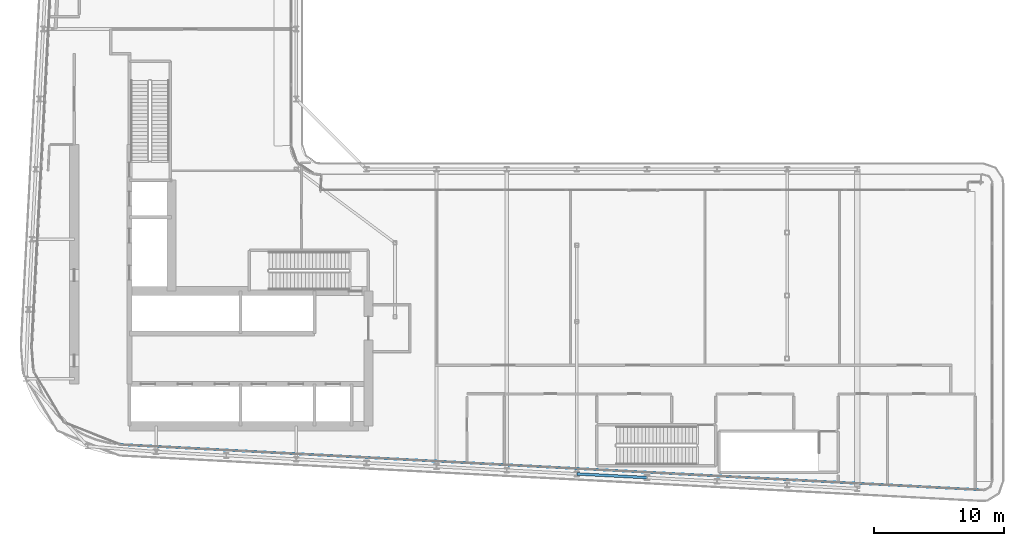
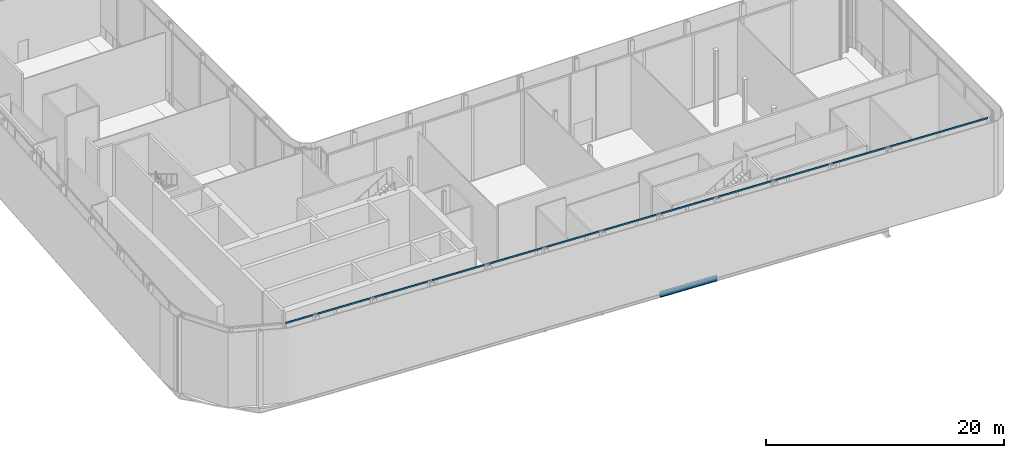
# One storey, part 8 of 38: 1 beam, 1 member, 1 element without a shape of its own.
"""IFC4 building model written with IfcOpenShell, lengths in metres."""

from ifc_helpers import new_model, si_unit, direction, frame, origin, origin_2d, place, context, subcontext, project, spatial, rectangle, i_section, extrude, material, layer, layer_set, material_profile, profile_set, type_object, element, aggregate, save


model = new_model("IFC4")

# Units and contexts
model_context = context("Model", 3, precision=1e-05, world=origin(), true_north=direction((0.0, 1.0)))
body_context = subcontext(model_context, "Body", "Model", "MODEL_VIEW")
ifc_project = project(units=[si_unit("LENGTHUNIT", "METRE"), si_unit("AREAUNIT", "SQUARE_METRE"), si_unit("VOLUMEUNIT", "CUBIC_METRE"), si_unit("PLANEANGLEUNIT", "RADIAN"), si_unit("MASSUNIT", "GRAM", prefix="KILO")], contexts=[model_context])

# Site, building, storey
site_placement = place(None, origin())
site = spatial("IfcSite", under=ifc_project, at=site_placement, CompositionType="ELEMENT")
building_placement = place(site_placement, origin())
building = spatial("IfcBuilding", under=site, at=building_placement, Name="Kheshtan School and Residences Tower", CompositionType="ELEMENT")
storey_placement = place(building_placement, frame((0.0, 0.0, 203.300048828125)))
storey = spatial("IfcBuildingStorey", under=building, at=storey_placement, Name="L48", CompositionType="ELEMENT", Elevation=203.300048828125)

# Beam
ifc_material_1 = material(Name="Steel ASTM A992 Grade 50", Category="steel")
ifc_material_profile_1 = material_profile(ifc_material_1, i_section(OverallWidth=0.208984375, OverallDepth=0.532958984375, WebThickness=0.01025390625, FlangeThickness=0.015625, FilletRadius=0.013916015625, at=origin_2d()), Name="W530x92")
ifc_profile_set_1 = profile_set([ifc_material_profile_1], Name="Steel ASTM A992 Grade 50")
beam_type = type_object("IfcBeamType", Name="Beam SP3 W530x92 ASTM A992 Grade 50", PredefinedType="BEAM", material=ifc_profile_set_1)
beam_placement = place(storey_placement, frame((74.60009765625, 21.843017578125, -0.41650390625), z_axis=(-0.998620571751, 0.05250670125, 0.0), x_axis=(-0.05250670125, -0.998620571751, 0.0)))
element("IfcBeam", 1, at=beam_placement, inside=storey, type_object=beam_type, Name="Spandrel beam C013-C014", PredefinedType="BEAM", context=body_context, shape_type="SweptSolid", body=[
    extrude(i_section(OverallWidth=0.208984375, OverallDepth=0.532958984375, WebThickness=0.01025390625, FlangeThickness=0.015625, FilletRadius=0.013916015625, at=origin_2d()), origin(), (0.0, 0.0, 1.0), 5.40771484375),
])

# Curtain wall, member
ifc_material_2 = material(Name="Clear low-e glass in thermally broken aluminium frame", Category="aluminium")
ifc_layer = layer(ifc_material_2, 0.25)
ifc_layer_set = layer_set([ifc_layer], Name="Curtain wall CW-K")
curtain_wall_type = type_object("IfcCurtainWallType", Name="Curtain wall CW-K", PredefinedType="NOTDEFINED", material=ifc_layer_set)
curtain_wall_placement = place(storey_placement, origin())
curtain_wall = element("IfcCurtainWall", 2, at=curtain_wall_placement, inside=storey, type_object=curtain_wall_type, Name="Curtain wall CWK14", PredefinedType="NOTDEFINED")
ifc_material_3 = material(Name="Thermally broken aluminium, dark bronze anodised", Category="aluminium")
ifc_material_profile_2 = material_profile(ifc_material_3, rectangle(XDim=0.06005859375, YDim=0.159912109375, at=origin_2d()), Name="CW-K transom 60x160")
ifc_profile_set_2 = profile_set([ifc_material_profile_2], Name="Thermally broken aluminium, dark bronze anodised")
member_type = type_object("IfcMemberType", Name="CW-K transom 60x160", PredefinedType="USERDEFINED", material=ifc_profile_set_2)
member_placement = place(storey_placement, frame((100.372802734375, 20.88623046875, 7.570068359375), z_axis=(-0.998617168494, 0.052571387554, 0.0), x_axis=(-0.052571387554, -0.998617168494, 0.0)))
member = element("IfcMember", 3, at=member_placement, type_object=member_type, Name="CWK14 transom 1", ObjectType="TRANSOM", PredefinedType="USERDEFINED", context=body_context, shape_type="SweptSolid", body=[
    extrude(rectangle(XDim=0.06005859375, YDim=0.159912109375, at=origin_2d()), origin(), (0.0, 0.0, 1.0), 66.343994140625),
])
aggregate(curtain_wall, [member])

save(model, "model.ifc")
